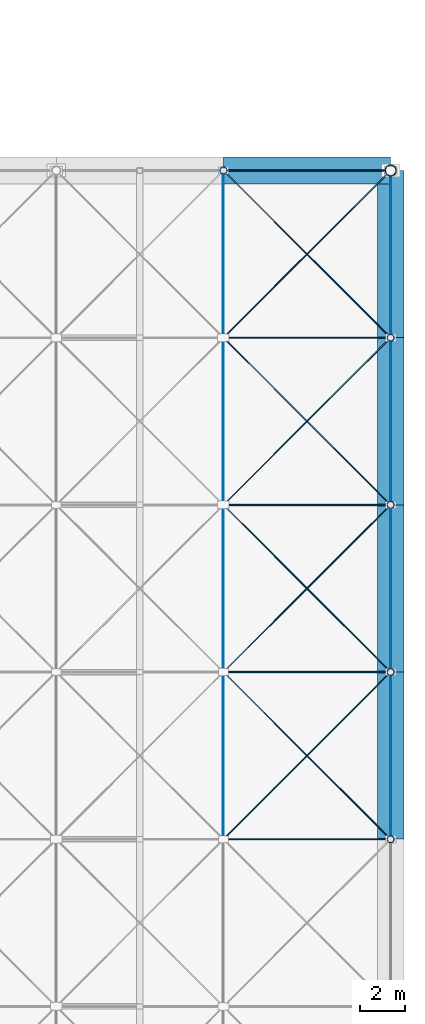
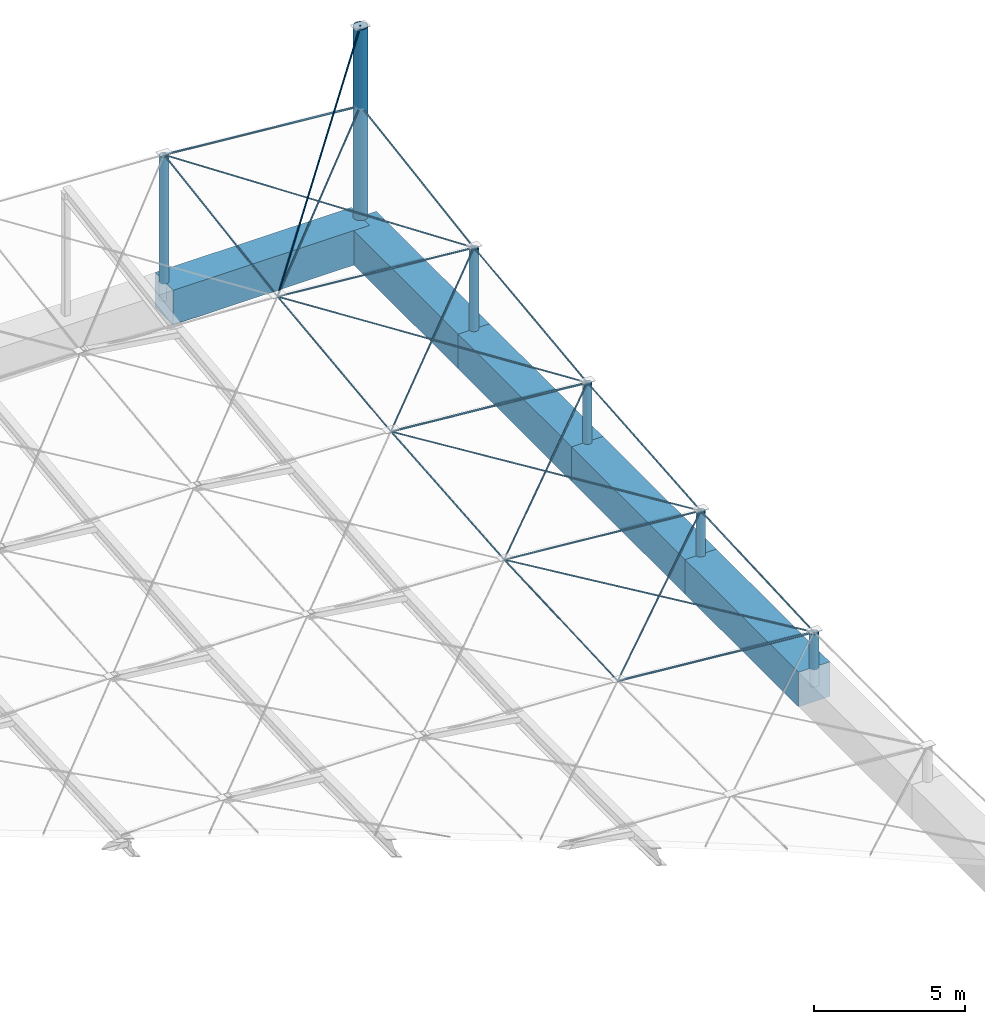
# One storey, part 9 of 17: 28 members, 5 beams.
"""IFC4 building model written with IfcOpenShell, lengths in metres."""

import ifcopenshell
import ifcopenshell.guid

model = None  # the IFC model being written
_history = None  # IfcOwnerHistory: only IFC2X3 demands one
_inside = {}  # id of a spatial element -> (the spatial element, [elements in it])
_under = {}  # id of a project, library or spatial element -> (it, [spatial elements below it])
_declared = {}  # id of a project -> (the project, [libraries it declares])
_typed = {}  # id of a type object -> (the type object, [elements of that type])
_made_of = {}  # id of a material, layer set ... -> (it, [elements and type objects made of it])


def new_model(schema):
    """Start an empty IFC model of exactly this schema.

    Asked for "IFC4X3", IfcOpenShell would pick the latest addendum, in which some entities
    have other attributes; the version numbers below select the first issue.
    IFC2X3 requires an IfcOwnerHistory on every rooted entity: one is made here for all.
    """
    global model, _history
    if schema == "IFC4X3":
        model = ifcopenshell.file(schema_version=(4, 3, 0, 0))
    else:
        model = ifcopenshell.file(schema=schema)
    _inside.clear()
    _under.clear()
    _declared.clear()
    _typed.clear()
    _made_of.clear()
    _history = None
    if model.schema == "IFC2X3":
        org = make("IfcOrganization", Name="unknown")
        user = make(
            "IfcPersonAndOrganization",
            ThePerson=make("IfcPerson", FamilyName="unknown"),
            TheOrganization=org,
        )
        app = make(
            "IfcApplication",
            ApplicationDeveloper=org,
            Version="unknown",
            ApplicationFullName="unknown",
            ApplicationIdentifier="unknown",
        )
        _history = make(
            "IfcOwnerHistory",
            OwningUser=user,
            OwningApplication=app,
            ChangeAction="ADDED",
            CreationDate=0,
        )
    return model


def make(cls, **values):
    """One entity of the class cls with the attributes given. An attribute that is None is left unset."""
    return model.create_entity(
        cls, **{name: value for name, value in values.items() if value is not None}
    )


def rooted(cls, **values):
    """An entity with a GlobalId (a new one), such as an element, a storey or a relation."""
    return make(cls, GlobalId=ifcopenshell.guid.new(), OwnerHistory=_history, **values)


def si_unit(unit_type, name, prefix=None):
    """IfcSIUnit, for example si_unit("LENGTHUNIT", "METRE", prefix="MILLI")."""
    return make("IfcSIUnit", UnitType=unit_type, Prefix=prefix, Name=name)


def assignment(units):
    """IfcUnitAssignment: the units of a project."""
    return None if units is None else make("IfcUnitAssignment", Units=units)


def point(xyz):
    """IfcCartesianPoint."""
    return None if xyz is None else make("IfcCartesianPoint", Coordinates=xyz)


def direction(xyz):
    """IfcDirection."""
    return None if xyz is None else make("IfcDirection", DirectionRatios=xyz)


def frame(location, z_axis=None, x_axis=None):
    """IfcAxis2Placement3D, a coordinate frame: its origin and axes. An axis left out is left unset."""
    return make(
        "IfcAxis2Placement3D",
        Location=point(location),
        Axis=direction(z_axis),
        RefDirection=direction(x_axis),
    )


def frame_2d(location, x_axis=None):
    """IfcAxis2Placement2D, a coordinate frame in the plane: its origin and x axis."""
    return make(
        "IfcAxis2Placement2D", Location=point(location), RefDirection=direction(x_axis)
    )


def origin():
    """The frame at (0, 0, 0) with its axes left unset."""
    return frame((0.0, 0.0, 0.0))


def origin_2d():
    """The frame at (0, 0) in the plane with its x axis left unset."""
    return frame_2d((0.0, 0.0))


def place(relative_to, where):
    """IfcLocalPlacement: puts the frame where relative to a parent placement (None: the world)."""
    return make(
        "IfcLocalPlacement", PlacementRelTo=relative_to, RelativePlacement=where
    )


def context(
    kind, dimensions, precision=None, world=None, true_north=None, identifier=None
):
    """IfcGeometricRepresentationContext, for example the 3D "Model" context."""
    return make(
        "IfcGeometricRepresentationContext",
        ContextIdentifier=identifier,
        ContextType=kind,
        CoordinateSpaceDimension=dimensions,
        Precision=precision,
        WorldCoordinateSystem=world,
        TrueNorth=true_north,
    )


def subcontext(parent, identifier, kind, view, scale=None):
    """IfcGeometricRepresentationSubContext, for example "Body" below "Model"."""
    return make(
        "IfcGeometricRepresentationSubContext",
        ContextIdentifier=identifier,
        ContextType=kind,
        ParentContext=parent,
        TargetScale=scale,
        TargetView=view,
    )


def project(units=None, contexts=None):
    """IfcProject with its units and contexts."""
    return rooted(
        "IfcProject",
        Name="project",
        RepresentationContexts=contexts,
        UnitsInContext=assignment(units),
    )


def spatial(cls, under=None, at=None, **own):
    """A site, building, storey or space (cls), placed at a placement, below another one or the project."""
    s = rooted(cls, ObjectPlacement=at, **own)
    if under is not None:
        _under.setdefault(under.id(), (under, []))[1].append(s)
    return s


def profile(cls, at=None, kind="AREA", **sizes):
    """A parametric profile (cls). Its sizes go by their IFC names, for example OverallWidth=200.0."""
    return make(cls, ProfileType=kind, Position=at, **sizes)


def rectangle(**sizes):
    """IfcRectangleProfileDef."""
    return profile("IfcRectangleProfileDef", **sizes)


def circle(**sizes):
    """IfcCircleProfileDef."""
    return profile("IfcCircleProfileDef", **sizes)


def hollow_circle(**sizes):
    """IfcCircleHollowProfileDef."""
    return profile("IfcCircleHollowProfileDef", **sizes)


def extrude(swept, where, along, depth):
    """IfcExtrudedAreaSolid: the profile swept, set in the frame where, extruded along a direction by depth."""
    return make(
        "IfcExtrudedAreaSolid",
        SweptArea=swept,
        Position=where,
        ExtrudedDirection=direction(along),
        Depth=depth,
    )


def shape(context_of_items, identifier, shape_type, items):
    """IfcShapeRepresentation: the items that make up one representation, for example the "Body"."""
    return make(
        "IfcShapeRepresentation",
        ContextOfItems=context_of_items,
        RepresentationIdentifier=identifier,
        RepresentationType=shape_type,
        Items=items,
    )


def material(Name=None, Category=None):
    """IfcMaterial."""
    return make("IfcMaterial", Name=Name, Category=Category)


def material_profile(
    of_material, cross_section, Name=None, Category=None, Priority=None
):
    """IfcMaterialProfile: a cross section and its material."""
    return make(
        "IfcMaterialProfile",
        Name=Name,
        Material=of_material,
        Profile=cross_section,
        Priority=Priority,
        Category=Category,
    )


def profile_set(profiles, Name=None, composite=None):
    """IfcMaterialProfileSet."""
    return make(
        "IfcMaterialProfileSet",
        Name=Name,
        MaterialProfiles=profiles,
        CompositeProfile=composite,
    )


def made_of(thing, what):
    """Note that an element or type object is made of a material, layer set ...; save() writes the relation."""
    if what is not None:
        _made_of.setdefault(what.id(), (what, []))[1].append(thing)
    return thing


def type_object(cls, material=None, **own):
    """A type object (cls), such as IfcWallType, which elements share."""
    return made_of(rooted(cls, **own), material)


def element(
    cls,
    number,
    at=None,
    inside=None,
    cuts=None,
    type_object=None,
    material=None,
    context=None,
    identifier="Body",
    shape_type=None,
    held_by="IfcProductDefinitionShape",
    body=None,
    shapes=None,
    **own,
):
    """One element of the class cls, such as IfcWall. Its Tag is "e" and its number.

    at: its placement. inside: the storey or other place that contains it. cuts: it is an
    opening in that element (IfcRelVoidsElement). A single representation is given by context,
    identifier, shape_type and body (its items); several are given by shapes. held_by: the class
    of the entity that holds the representations. save() writes the other relations.
    """
    e = rooted(cls, Tag="e%d" % number, ObjectPlacement=at, **own)
    if body is not None:
        shapes = [shape(context, identifier, shape_type, body)]
    if shapes is not None:
        e.Representation = make(held_by, Representations=shapes)
    if inside is not None:
        _inside.setdefault(inside.id(), (inside, []))[1].append(e)
    if cuts is not None:
        rooted(
            "IfcRelVoidsElement", RelatingBuildingElement=cuts, RelatedOpeningElement=e
        )
    if type_object is not None:
        _typed.setdefault(type_object.id(), (type_object, []))[1].append(e)
    return made_of(e, material)


def aggregate(whole, parts):
    """IfcRelAggregates: a whole, such as a stair, and the parts it consists of."""
    return rooted("IfcRelAggregates", RelatingObject=whole, RelatedObjects=parts)


def save(model, path):
    """Write the relations noted so far, then the file.

    IfcRelAggregates (storeys below a building ...), IfcRelContainedInSpatialStructure (elements
    in a storey), IfcRelDefinesByType, IfcRelAssociatesMaterial and IfcRelDeclares: one each for
    every whole, place, type object, material and project.
    """
    for whole, parts in _under.values():
        aggregate(whole, parts)
    for where, things in _inside.values():
        rooted(
            "IfcRelContainedInSpatialStructure",
            RelatedElements=things,
            RelatingStructure=where,
        )
    for kind, things in _typed.values():
        rooted("IfcRelDefinesByType", RelatedObjects=things, RelatingType=kind)
    for what, things in _made_of.values():
        rooted("IfcRelAssociatesMaterial", RelatedObjects=things, RelatingMaterial=what)
    for by, libraries in _declared.values():
        rooted("IfcRelDeclares", RelatingContext=by, RelatedDefinitions=libraries)
    model.write(path)


model = new_model("IFC4")

# Units and contexts
model_context = context("Model", 3, precision=1e-05, world=origin(), true_north=direction((0.0, 1.0)))
body_context = subcontext(model_context, "Body", "Model", "MODEL_VIEW")
ifc_project = project(units=[si_unit("LENGTHUNIT", "METRE"), si_unit("AREAUNIT", "SQUARE_METRE"), si_unit("VOLUMEUNIT", "CUBIC_METRE"), si_unit("PLANEANGLEUNIT", "RADIAN"), si_unit("MASSUNIT", "GRAM", prefix="KILO")], contexts=[model_context])

# Site, building, storey
site_placement = place(None, origin())
site = spatial("IfcSite", under=ifc_project, at=site_placement, CompositionType="ELEMENT")
building_placement = place(site_placement, origin())
building = spatial("IfcBuilding", under=site, at=building_placement, Name="Qasida Concert Hall", CompositionType="ELEMENT")
storey_placement = place(building_placement, frame((0.0, 0.0, 25.199951171875)))
storey = spatial("IfcBuildingStorey", under=building, at=storey_placement, Name="RF", CompositionType="ELEMENT", Elevation=25.199951171875)

# Beams
ifc_material_1 = material(Name="Concrete C50/60", Category="concrete")
ifc_material_profile_1 = material_profile(ifc_material_1, rectangle(XDim=1.199951171875, YDim=1.39990234375, at=origin_2d()), Name="RC 1200x1400")
ifc_profile_set_1 = profile_set([ifc_material_profile_1], Name="Concrete C50/60")
beam_type = type_object("IfcBeamType", Name="BM-RB1", PredefinedType="USERDEFINED", material=ifc_profile_set_1)
for number, where, z_axis, x_axis, name in (
    (1, (97.5, 82.5, 0.0), (1.0, 0.0, 0.0), (0.0, 1.0, 0.0), "Ring beam RB-012"),
    (2, (105.0, 52.5, 0.0), (0.0, 1.0, 0.0), (-1.0, 0.0, 0.0), "Ring beam RB-025"),
    (3, (105.0, 60.0, 0.0), (0.0, 1.0, 0.0), (-1.0, 0.0, 0.0), "Ring beam RB-026"),
    (4, (105.0, 67.5, 0.0), (0.0, 1.0, 0.0), (-1.0, 0.0, 0.0), "Ring beam RB-027"),
    (5, (105.0, 75.0, 0.0), (0.0, 1.0, 0.0), (-1.0, 0.0, 0.0), "Ring beam RB-028"),
):
    element("IfcBeam", number, at=place(storey_placement, frame(where, z_axis=z_axis, x_axis=x_axis)), inside=storey, type_object=beam_type, Name=name, ObjectType="GIRDER", PredefinedType="USERDEFINED", context=body_context, shape_type="SweptSolid", body=[
        extrude(rectangle(XDim=1.199951171875, YDim=1.39990234375, at=origin_2d()), origin(), (0.0, 0.0, 1.0), 7.5),
    ])

# Members
ifc_material_2 = material(Name="Steel S460N spiral strand EN 12385", Category="steel")
ifc_material_profile_2 = material_profile(ifc_material_2, circle(Radius=0.031982421875, at=origin_2d()), Name="STRAND D64")
ifc_profile_set_2 = profile_set([ifc_material_profile_2], Name="Steel S460N spiral strand EN 12385")
member_type_1 = type_object("IfcMemberType", Name="MB-CC1", PredefinedType="USERDEFINED", material=ifc_profile_set_2)
member_1_placement = place(storey_placement, frame((97.5, 52.5, 2.760986328125), z_axis=(0.996255419657, 0.0, -0.086458885052), x_axis=(0.0, 1.0, 0.0)))
element("IfcMember", 6, at=member_1_placement, inside=storey, type_object=member_type_1, Name="Roof cable CC-035", ObjectType="TENSION_CABLE", PredefinedType="USERDEFINED", context=body_context, shape_type="SweptSolid", body=[
    extrude(circle(Radius=0.031982421875, at=origin_2d()), origin(), (0.0, 0.0, 1.0), 7.528076171875),
])
member_2_placement = place(storey_placement, frame((97.5, 67.5, 3.736083984375), z_axis=(0.996252625766, 0.0, -0.086491072686), x_axis=(0.0, 1.0, 0.0)))
element("IfcMember", 7, at=member_2_placement, inside=storey, type_object=member_type_1, Name="Roof cable CC-049", ObjectType="TENSION_CABLE", PredefinedType="USERDEFINED", context=body_context, shape_type="SweptSolid", body=[
    extrude(circle(Radius=0.031982421875, at=origin_2d()), origin(), (0.0, 0.0, 1.0), 7.5283203125),
])
member_3_placement = place(storey_placement, frame((97.5, 82.5, 5.81103515625), z_axis=(0.996255419657, 0.0, -0.086458885052), x_axis=(0.0, 1.0, 0.0)))
element("IfcMember", 8, at=member_3_placement, inside=storey, type_object=member_type_1, Name="Roof cable CC-063", ObjectType="TENSION_CABLE", PredefinedType="USERDEFINED", context=body_context, shape_type="SweptSolid", body=[
    extrude(circle(Radius=0.031982421875, at=origin_2d()), origin(), (0.0, 0.0, 1.0), 7.528076171875),
])
member_4_placement = place(storey_placement, frame((105.0, 82.5, 8.400146484375), z_axis=(-0.666386608357, -0.666386608357, -0.334451455978), x_axis=(0.707106781187, -0.707106781187, 0.0)))
element("IfcMember", 9, at=member_4_placement, inside=storey, type_object=member_type_1, Name="Roof cable guy stay GUY-04", ObjectType="TENSION_CABLE", PredefinedType="USERDEFINED", context=body_context, shape_type="SweptSolid", body=[
    extrude(circle(Radius=0.031982421875, at=origin_2d()), origin(), (0.0, 0.0, 1.0), 11.254638671875),
])
ifc_material_profile_3 = material_profile(ifc_material_2, circle(Radius=0.027099609375, at=origin_2d()), Name="STRAND D54")
ifc_profile_set_3 = profile_set([ifc_material_profile_3], Name="Steel S460N spiral strand EN 12385")
member_type_2 = type_object("IfcMemberType", Name="MB-CC2", PredefinedType="USERDEFINED", material=ifc_profile_set_3)
member_5_placement = place(storey_placement, frame((97.5, 60.0, 3.111083984375), z_axis=(0.996252625766, 0.0, -0.086491072686), x_axis=(0.0, 1.0, 0.0)))
element("IfcMember", 10, at=member_5_placement, inside=storey, type_object=member_type_2, Name="Roof cable CC-042", ObjectType="TENSION_CABLE", PredefinedType="USERDEFINED", context=body_context, shape_type="SweptSolid", body=[
    extrude(circle(Radius=0.027099609375, at=origin_2d()), origin(), (0.0, 0.0, 1.0), 7.5283203125),
])
member_6_placement = place(storey_placement, frame((97.5, 75.0, 4.635986328125), z_axis=(0.996255419657, 0.0, -0.086458885052), x_axis=(0.0, 1.0, 0.0)))
element("IfcMember", 11, at=member_6_placement, inside=storey, type_object=member_type_2, Name="Roof cable CC-056", ObjectType="TENSION_CABLE", PredefinedType="USERDEFINED", context=body_context, shape_type="SweptSolid", body=[
    extrude(circle(Radius=0.027099609375, at=origin_2d()), origin(), (0.0, 0.0, 1.0), 7.528076171875),
])
ifc_material_profile_4 = material_profile(ifc_material_2, circle(Radius=0.02197265625, at=origin_2d()), Name="STRAND D44")
ifc_profile_set_4 = profile_set([ifc_material_profile_4], Name="Steel S460N spiral strand EN 12385")
member_type_3 = type_object("IfcMemberType", Name="MB-SC1", PredefinedType="USERDEFINED", material=ifc_profile_set_4)
member_7_placement = place(storey_placement, frame((97.5, 52.5, 2.760986328125), z_axis=(0.0, 0.998912280665, 0.046628913101), x_axis=(-1.0, 0.0, 0.0)))
element("IfcMember", 12, at=member_7_placement, inside=storey, type_object=member_type_3, Name="Roof cable SC-053", ObjectType="TENSION_CABLE", PredefinedType="USERDEFINED", context=body_context, shape_type="SweptSolid", body=[
    extrude(circle(Radius=0.02197265625, at=origin_2d()), origin(), (0.0, 0.0, 1.0), 7.508056640625),
])
member_8_placement = place(storey_placement, frame((97.5, 60.0, 3.111083984375), z_axis=(0.0, 0.996545758245, 0.083045479854), x_axis=(-1.0, 0.0, 0.0)))
element("IfcMember", 13, at=member_8_placement, inside=storey, type_object=member_type_3, Name="Roof cable SC-054", ObjectType="TENSION_CABLE", PredefinedType="USERDEFINED", context=body_context, shape_type="SweptSolid", body=[
    extrude(circle(Radius=0.02197265625, at=origin_2d()), origin(), (0.0, 0.0, 1.0), 7.52587890625),
])
member_9_placement = place(storey_placement, frame((97.5, 67.5, 3.736083984375), z_axis=(0.0, 0.992878367755, 0.119132476027), x_axis=(-1.0, 0.0, 0.0)))
element("IfcMember", 14, at=member_9_placement, inside=storey, type_object=member_type_3, Name="Roof cable SC-055", ObjectType="TENSION_CABLE", PredefinedType="USERDEFINED", context=body_context, shape_type="SweptSolid", body=[
    extrude(circle(Radius=0.02197265625, at=origin_2d()), origin(), (0.0, 0.0, 1.0), 7.5537109375),
])
member_10_placement = place(storey_placement, frame((97.5, 75.0, 4.635986328125), z_axis=(0.0, 0.987948181755, 0.154784980429), x_axis=(-1.0, 0.0, 0.0)))
element("IfcMember", 15, at=member_10_placement, inside=storey, type_object=member_type_3, Name="Roof cable SC-056", ObjectType="TENSION_CABLE", PredefinedType="USERDEFINED", context=body_context, shape_type="SweptSolid", body=[
    extrude(circle(Radius=0.02197265625, at=origin_2d()), origin(), (0.0, 0.0, 1.0), 7.591552734375),
])
member_11_placement = place(storey_placement, frame((105.0, 52.5, 2.110107421875), z_axis=(0.0, 0.998913794708, 0.046596467051), x_axis=(-1.0, 0.0, 0.0)))
element("IfcMember", 16, at=member_11_placement, inside=storey, type_object=member_type_3, Name="Roof cable SC-061", ObjectType="TENSION_CABLE", PredefinedType="USERDEFINED", context=body_context, shape_type="SweptSolid", body=[
    extrude(circle(Radius=0.02197265625, at=origin_2d()), origin(), (0.0, 0.0, 1.0), 7.508056640625),
])
member_12_placement = place(storey_placement, frame((105.0, 60.0, 2.4599609375), z_axis=(0.0, 0.996545758245, 0.083045479854), x_axis=(-1.0, 0.0, 0.0)))
element("IfcMember", 17, at=member_12_placement, inside=storey, type_object=member_type_3, Name="Roof cable SC-062", ObjectType="TENSION_CABLE", PredefinedType="USERDEFINED", context=body_context, shape_type="SweptSolid", body=[
    extrude(circle(Radius=0.02197265625, at=origin_2d()), origin(), (0.0, 0.0, 1.0), 7.52587890625),
])
member_13_placement = place(storey_placement, frame((105.0, 67.5, 3.0849609375), z_axis=(0.0, 0.992874544287, 0.119164337395), x_axis=(-1.0, 0.0, 0.0)))
element("IfcMember", 18, at=member_13_placement, inside=storey, type_object=member_type_3, Name="Roof cable SC-063", ObjectType="TENSION_CABLE", PredefinedType="USERDEFINED", context=body_context, shape_type="SweptSolid", body=[
    extrude(circle(Radius=0.02197265625, at=origin_2d()), origin(), (0.0, 0.0, 1.0), 7.5537109375),
])
member_14_placement = place(storey_placement, frame((105.0, 75.0, 3.985107421875), z_axis=(0.0, 0.987948181755, 0.154784980429), x_axis=(-1.0, 0.0, 0.0)))
element("IfcMember", 19, at=member_14_placement, inside=storey, type_object=member_type_3, Name="Roof cable SC-064", ObjectType="TENSION_CABLE", PredefinedType="USERDEFINED", context=body_context, shape_type="SweptSolid", body=[
    extrude(circle(Radius=0.02197265625, at=origin_2d()), origin(), (0.0, 0.0, 1.0), 7.591552734375),
])
member_15_placement = place(storey_placement, frame((97.5, 52.5, 2.760986328125), z_axis=(0.706822173597, 0.706822173597, -0.028369522788), x_axis=(-0.707106781187, 0.707106781187, 0.0)))
element("IfcMember", 20, at=member_15_placement, inside=storey, type_object=member_type_3, Name="Roof cable diagonal DC-105", ObjectType="TENSION_CABLE", PredefinedType="USERDEFINED", context=body_context, shape_type="SweptSolid", body=[
    extrude(circle(Radius=0.02197265625, at=origin_2d()), origin(), (0.0, 0.0, 1.0), 10.61083984375),
])
member_16_placement = place(storey_placement, frame((97.5, 60.0, 3.111083984375), z_axis=(0.703978821678, -0.703978821678, -0.093955506799), x_axis=(0.707106781187, 0.707106781187, 0.0)))
element("IfcMember", 21, at=member_16_placement, inside=storey, type_object=member_type_3, Name="Roof cable diagonal DC-106", ObjectType="TENSION_CABLE", PredefinedType="USERDEFINED", context=body_context, shape_type="SweptSolid", body=[
    extrude(circle(Radius=0.02197265625, at=origin_2d()), origin(), (0.0, 0.0, 1.0), 10.65380859375),
])
member_17_placement = place(storey_placement, frame((97.5, 60.0, 3.111083984375), z_axis=(0.707104636577, 0.707104636577, -0.002462897009), x_axis=(-0.707106781187, 0.707106781187, 0.0)))
element("IfcMember", 22, at=member_17_placement, inside=storey, type_object=member_type_3, Name="Roof cable diagonal DC-107", ObjectType="TENSION_CABLE", PredefinedType="USERDEFINED", context=body_context, shape_type="SweptSolid", body=[
    extrude(circle(Radius=0.02197265625, at=origin_2d()), origin(), (0.0, 0.0, 1.0), 10.606689453125),
])
member_18_placement = place(storey_placement, frame((97.5, 67.5, 3.736083984375), z_axis=(0.702043831362, -0.702043831362, -0.119452575082), x_axis=(0.707106781187, 0.707106781187, 0.0)))
element("IfcMember", 23, at=member_18_placement, inside=storey, type_object=member_type_3, Name="Roof cable diagonal DC-108", ObjectType="TENSION_CABLE", PredefinedType="USERDEFINED", context=body_context, shape_type="SweptSolid", body=[
    extrude(circle(Radius=0.02197265625, at=origin_2d()), origin(), (0.0, 0.0, 1.0), 10.68310546875),
])
member_19_placement = place(storey_placement, frame((97.5, 67.5, 3.736083984375), z_axis=(0.706911974692, 0.706911974692, 0.02347168666), x_axis=(-0.707106781187, 0.707106781187, 0.0)))
element("IfcMember", 24, at=member_19_placement, inside=storey, type_object=member_type_3, Name="Roof cable diagonal DC-109", ObjectType="TENSION_CABLE", PredefinedType="USERDEFINED", context=body_context, shape_type="SweptSolid", body=[
    extrude(circle(Radius=0.02197265625, at=origin_2d()), origin(), (0.0, 0.0, 1.0), 10.609619140625),
])
member_20_placement = place(storey_placement, frame((97.5, 75.0, 4.635986328125), z_axis=(0.699665589492, -0.699665589492, -0.144693212566), x_axis=(0.707106781187, 0.707106781187, 0.0)))
element("IfcMember", 25, at=member_20_placement, inside=storey, type_object=member_type_3, Name="Roof cable diagonal DC-110", ObjectType="TENSION_CABLE", PredefinedType="USERDEFINED", context=body_context, shape_type="SweptSolid", body=[
    extrude(circle(Radius=0.02197265625, at=origin_2d()), origin(), (0.0, 0.0, 1.0), 10.719482421875),
])
member_21_placement = place(storey_placement, frame((97.5, 75.0, 4.635986328125), z_axis=(0.706244890731, 0.706244890731, 0.049358977227), x_axis=(-0.707106781187, 0.707106781187, 0.0)))
element("IfcMember", 26, at=member_21_placement, inside=storey, type_object=member_type_3, Name="Roof cable diagonal DC-111", ObjectType="TENSION_CABLE", PredefinedType="USERDEFINED", context=body_context, shape_type="SweptSolid", body=[
    extrude(circle(Radius=0.02197265625, at=origin_2d()), origin(), (0.0, 0.0, 1.0), 10.61962890625),
])
member_22_placement = place(storey_placement, frame((97.5, 82.5, 5.81103515625), z_axis=(0.696856273009, -0.696856273009, -0.169654559435), x_axis=(0.707106781187, 0.707106781187, 0.0)))
element("IfcMember", 27, at=member_22_placement, inside=storey, type_object=member_type_3, Name="Roof cable diagonal DC-112", ObjectType="TENSION_CABLE", PredefinedType="USERDEFINED", context=body_context, shape_type="SweptSolid", body=[
    extrude(circle(Radius=0.02197265625, at=origin_2d()), origin(), (0.0, 0.0, 1.0), 10.7626953125),
])
ifc_material_3 = material(Name="Steel S355J2", Category="steel")
ifc_material_profile_5 = material_profile(ifc_material_3, hollow_circle(Radius=0.25390625, WallThickness=0.02490234375, at=origin_2d()), Name="CHS 508x25")
ifc_profile_set_5 = profile_set([ifc_material_profile_5], Name="Steel S355J2")
member_type_4 = type_object("IfcMemberType", Name="MB-ST1", PredefinedType="STRUT", material=ifc_profile_set_5)
member_23_placement = place(storey_placement, frame((105.0, 82.5, 0.0), z_axis=(0.0, 0.0, 1.0), x_axis=(1.0, 0.0, 0.0)))
element("IfcMember", 28, at=member_23_placement, inside=storey, type_object=member_type_4, Name="Cable-net mast MS-04", PredefinedType="STRUT", context=body_context, shape_type="SweptSolid", body=[
    extrude(hollow_circle(Radius=0.25390625, WallThickness=0.02490234375, at=origin_2d()), origin(), (0.0, 0.0, 1.0), 8.400146484375),
])
ifc_material_profile_6 = material_profile(ifc_material_3, hollow_circle(Radius=0.161865234375, WallThickness=0.01611328125, at=origin_2d()), Name="CHS 323.9x16")
ifc_profile_set_6 = profile_set([ifc_material_profile_6], Name="Steel S355J2")
member_type_5 = type_object("IfcMemberType", Name="MB-ST3", PredefinedType="STRUT", material=ifc_profile_set_6)
member_24_placement = place(storey_placement, frame((97.5, 82.5, 0.0), z_axis=(0.0, 0.0, 1.0), x_axis=(1.0, 0.0, 0.0)))
element("IfcMember", 29, at=member_24_placement, inside=storey, type_object=member_type_5, Name="Roof ring-beam edge strut EST-015", PredefinedType="STRUT", context=body_context, shape_type="SweptSolid", body=[
    extrude(hollow_circle(Radius=0.161865234375, WallThickness=0.01611328125, at=origin_2d()), origin(), (0.0, 0.0, 1.0), 5.81103515625),
])
member_25_placement = place(storey_placement, frame((105.0, 52.5, 0.0), z_axis=(0.0, 0.0, 1.0), x_axis=(1.0, 0.0, 0.0)))
element("IfcMember", 30, at=member_25_placement, inside=storey, type_object=member_type_5, Name="Roof ring-beam edge strut EST-019", PredefinedType="STRUT", context=body_context, shape_type="SweptSolid", body=[
    extrude(hollow_circle(Radius=0.161865234375, WallThickness=0.01611328125, at=origin_2d()), origin(), (0.0, 0.0, 1.0), 2.110107421875),
])
member_26_placement = place(storey_placement, frame((105.0, 60.0, 0.0), z_axis=(0.0, 0.0, 1.0), x_axis=(1.0, 0.0, 0.0)))
element("IfcMember", 31, at=member_26_placement, inside=storey, type_object=member_type_5, Name="Roof ring-beam edge strut EST-020", PredefinedType="STRUT", context=body_context, shape_type="SweptSolid", body=[
    extrude(hollow_circle(Radius=0.161865234375, WallThickness=0.01611328125, at=origin_2d()), origin(), (0.0, 0.0, 1.0), 2.4599609375),
])
member_27_placement = place(storey_placement, frame((105.0, 67.5, 0.0), z_axis=(0.0, 0.0, 1.0), x_axis=(1.0, 0.0, 0.0)))
element("IfcMember", 32, at=member_27_placement, inside=storey, type_object=member_type_5, Name="Roof ring-beam edge strut EST-021", PredefinedType="STRUT", context=body_context, shape_type="SweptSolid", body=[
    extrude(hollow_circle(Radius=0.161865234375, WallThickness=0.01611328125, at=origin_2d()), origin(), (0.0, 0.0, 1.0), 3.0849609375),
])
member_28_placement = place(storey_placement, frame((105.0, 75.0, 0.0), z_axis=(0.0, 0.0, 1.0), x_axis=(1.0, 0.0, 0.0)))
element("IfcMember", 33, at=member_28_placement, inside=storey, type_object=member_type_5, Name="Roof ring-beam edge strut EST-022", PredefinedType="STRUT", context=body_context, shape_type="SweptSolid", body=[
    extrude(hollow_circle(Radius=0.161865234375, WallThickness=0.01611328125, at=origin_2d()), origin(), (0.0, 0.0, 1.0), 3.985107421875),
])

save(model, "model.ifc")
